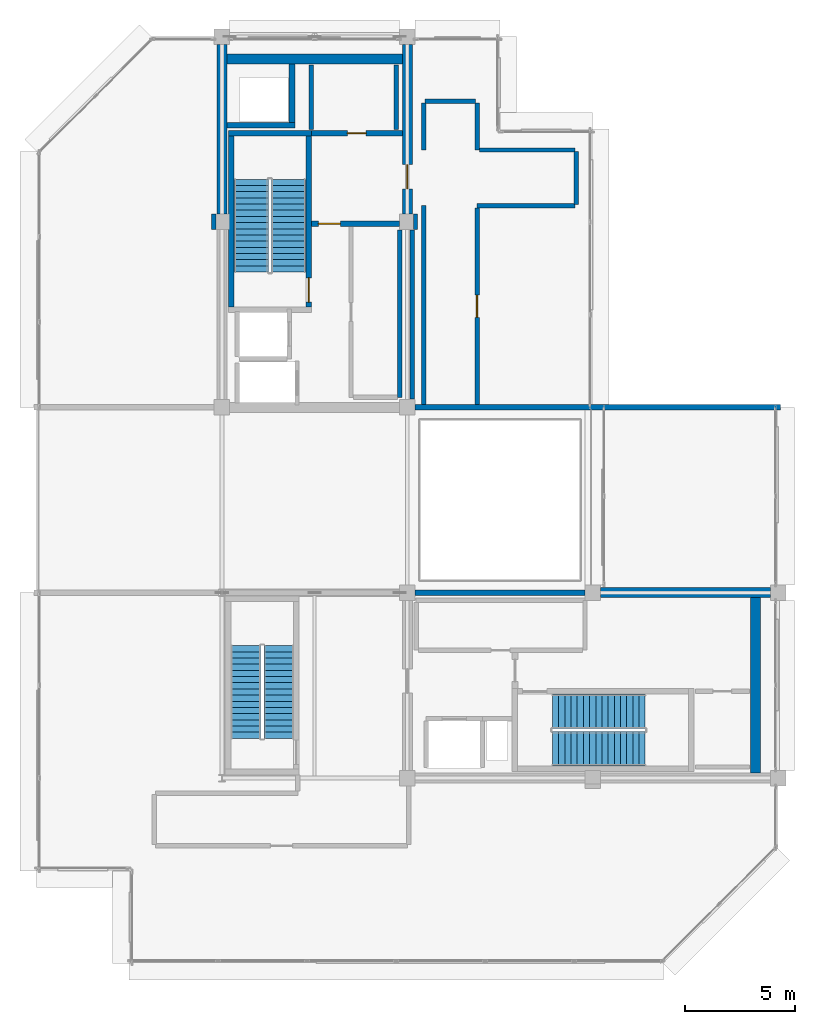
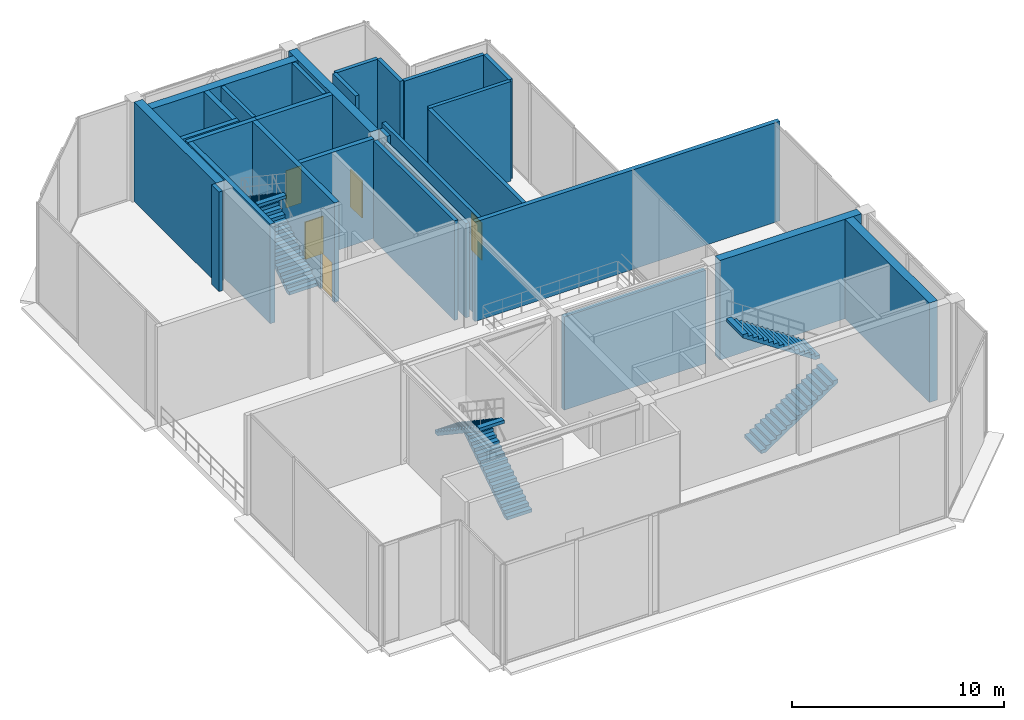
# One storey, part 16 of 19: 28 walls, 6 stair flights, 5 doors, 5 openings, 3 elements without a shape of their own.
"""IFC4 building model written with IfcOpenShell, lengths in metres."""

from ifc_helpers import new_model, si_unit, direction, frame, frame_2d, origin, place, context, subcontext, project, spatial, polyline, rectangle, outline, extrude, material, layer, layer_set, type_object, element, fill, aggregate, save


model = new_model("IFC4")

# Units and contexts
model_context = context("Model", 3, precision=1e-05, world=origin(), true_north=direction((0.0, 1.0)))
body_context = subcontext(model_context, "Body", "Model", "MODEL_VIEW")
ifc_project = project(units=[si_unit("LENGTHUNIT", "METRE"), si_unit("AREAUNIT", "SQUARE_METRE"), si_unit("VOLUMEUNIT", "CUBIC_METRE"), si_unit("PLANEANGLEUNIT", "RADIAN"), si_unit("MASSUNIT", "GRAM", prefix="KILO")], contexts=[model_context])

# Site, building, storey
site_placement = place(None, origin())
site = spatial("IfcSite", under=ifc_project, at=site_placement, CompositionType="ELEMENT")
building_placement = place(site_placement, origin())
building = spatial("IfcBuilding", under=site, at=building_placement, Name="Nerrivon Quay Data Exchange", CompositionType="ELEMENT")
storey_placement = place(building_placement, frame((0.0, 0.0, 327.0)))
storey = spatial("IfcBuildingStorey", under=building, at=storey_placement, Name="L78", CompositionType="ELEMENT", Elevation=327.0)

# Walls
ifc_material_1 = material(Name="Architectural terracotta precast concrete N50 (50 MPa)", Category="masonry")
ifc_layer_1 = layer(ifc_material_1, 0.239990234375)
ifc_layer_set_1 = layer_set([ifc_layer_1], Name="Architectural terracotta precast concrete N50 (50 MPa)")
wall_type_1 = type_object("IfcWallType", Name="EW-PREC-240", PredefinedType="STANDARD", material=ifc_layer_set_1)
wall_1_placement = place(storey_placement, frame((17.14990234375, 16.800048828125, 0.0), z_axis=(0.0, 0.0, 1.0), x_axis=(1.0, 0.0, 0.0)))
element("IfcWall", 1, at=wall_1_placement, inside=storey, type_object=wall_type_1, Name="L78 Wind Portal Flank Wall 11", PredefinedType="STANDARD", context=body_context, shape_type="SweptSolid", body=[
    extrude(rectangle(XDim=7.7001953125, YDim=0.239990234375, at=frame_2d((3.85009765625, 0.0))), origin(), (0.0, 0.0, 1.0), 5.365966796875),
])
wall_2_placement = place(storey_placement, frame((17.14990234375, 25.199951171875, 0.0), z_axis=(0.0, 0.0, 1.0), x_axis=(1.0, 0.0, 0.0)))
element("IfcWall", 2, at=wall_2_placement, inside=storey, type_object=wall_type_1, Name="L78 Wind Portal Flank Wall 13", PredefinedType="STANDARD", context=body_context, shape_type="SweptSolid", body=[
    extrude(rectangle(XDim=16.570068359375, YDim=0.239990234375, at=frame_2d((8.28515625, 0.0))), origin(), (0.0, 0.0, 1.0), 5.72509765625),
])
ifc_material_2 = material(Name="Concrete N50 (50 MPa)", Category="concrete")
ifc_layer_2 = layer(ifc_material_2, 0.449951171875)
ifc_layer_set_2 = layer_set([ifc_layer_2], Name="Concrete N50 (50 MPa)")
wall_type_2 = type_object("IfcWallType", Name="WALL-CW-550", PredefinedType="SHEAR", material=ifc_layer_set_2)
wall_3_placement = place(storey_placement, frame((8.39990234375, 33.949951171875, 0.0), z_axis=(0.0, 0.0, 1.0), x_axis=(0.0, 1.0, 0.0)))
element("IfcWall", 3, at=wall_3_placement, inside=storey, type_object=wall_type_2, Name="L78 West Split-Core Shear Wall WCW-W2", PredefinedType="SHEAR", context=body_context, shape_type="SweptSolid", body=[
    extrude(rectangle(XDim=7.699951171875, YDim=0.449951171875, at=frame_2d((3.85009765625, 0.0))), origin(), (0.0, 0.0, 1.0), 5.72509765625),
])
wall_4_placement = place(storey_placement, frame((8.625, 40.97509765625, 0.0), z_axis=(0.0, 0.0, 1.0), x_axis=(1.0, 0.0, 0.0)))
element("IfcWall", 4, at=wall_4_placement, inside=storey, type_object=wall_type_2, Name="L78 West Split-Core Shear Wall WCW-N1", PredefinedType="SHEAR", context=body_context, shape_type="SweptSolid", body=[
    extrude(rectangle(XDim=7.949951171875, YDim=0.449951171875, at=frame_2d((3.97509765625, 0.0))), origin(), (0.0, 0.0, 1.0), 5.72509765625),
])

# Wall, opening, door
wall_5_placement = place(storey_placement, frame((16.800048828125, 33.949951171875, 0.0), z_axis=(0.0, 0.0, 1.0), x_axis=(0.0, 1.0, 0.0)))
wall_5 = element("IfcWall", 5, at=wall_5_placement, inside=storey, type_object=wall_type_2, Name="L78 West Split-Core Shear Wall WCW-E1", PredefinedType="SHEAR", context=body_context, shape_type="SweptSolid", body=[
    extrude(rectangle(XDim=7.699951171875, YDim=0.449951171875, at=frame_2d((3.85009765625, 0.0))), origin(), (0.0, 0.0, 1.0), 5.72509765625),
])
opening_1_placement = place(wall_5_placement, frame((1.14990234375, 0.0, 0.0)))
opening_1 = element("IfcOpeningElement", 6, at=opening_1_placement, cuts=wall_5, Name="Opening FD-120", PredefinedType="OPENING", context=body_context, shape_type="SweptSolid", body=[
    extrude(rectangle(XDim=1.10009765625, YDim=2.14990234375, at=frame_2d((0.550048828125, 1.074951171875))), frame((0.0, 0.23486328125, 0.0), z_axis=(0.0, -1.0, 0.0), x_axis=(1.0, 0.0, 0.0)), (0.0, 0.0, 1.0), 0.469970703125),
])
ifc_material_3 = material(Name="Powder-coated galvanized steel sheet", Category="steel")
door_type_1 = type_object("IfcDoorType", Name="DR-FD120-1100", OperationType="NOTDEFINED", PredefinedType="DOOR", material=ifc_material_3)
door_1_placement = place(opening_1_placement, origin())
door_1 = element("IfcDoor", 7, at=door_1_placement, inside=storey, type_object=door_type_1, Name="L78 West Core Lobby Fire Door", OperationType="SINGLE_SWING_LEFT", OverallHeight=2.14990234375, OverallWidth=1.10009765625, PredefinedType="DOOR", context=body_context, shape_type="SweptSolid", body=[
    extrude(rectangle(XDim=1.10009765625, YDim=2.14990234375, at=frame_2d((0.550048828125, 1.074951171875))), frame((0.0, 0.02490234375, 0.0), z_axis=(0.0, -1.0, 0.0), x_axis=(1.0, 0.0, 0.0)), (0.0, 0.0, 1.0), 0.050048828125),
])
fill(opening_1, door_1)

# Walls
wall_6_placement = place(storey_placement, frame((32.574951171875, 8.625, 0.0), z_axis=(0.0, 0.0, 1.0), x_axis=(0.0, 1.0, 0.0)))
element("IfcWall", 8, at=wall_6_placement, inside=storey, type_object=wall_type_2, Name="L78 East Split-Core Shear Wall ECW-E1", PredefinedType="SHEAR", context=body_context, shape_type="SweptSolid", body=[
    extrude(rectangle(XDim=7.949951171875, YDim=0.449951171875, at=frame_2d((3.97509765625, 0.0))), origin(), (0.0, 0.0, 1.0), 5.72509765625),
])
wall_7_placement = place(storey_placement, frame((25.550048828125, 16.800048828125, 0.0), z_axis=(0.0, 0.0, 1.0), x_axis=(1.0, 0.0, 0.0)))
element("IfcWall", 9, at=wall_7_placement, inside=storey, type_object=wall_type_2, Name="L78 East Split-Core Shear Wall ECW-N1", PredefinedType="SHEAR", context=body_context, shape_type="SweptSolid", body=[
    extrude(rectangle(XDim=7.699951171875, YDim=0.449951171875, at=frame_2d((3.85009765625, 0.0))), origin(), (0.0, 0.0, 1.0), 5.72509765625),
])
ifc_material_4 = material(Name="Gypsum plasterboard on cold-formed framing", Category="gypsum")
ifc_layer_3 = layer(ifc_material_4, 0.199951171875)
ifc_layer_set_3 = layer_set([ifc_layer_3], Name="Gypsum plasterboard on cold-formed framing")
wall_type_3 = type_object("IfcWallType", Name="WALL-FW-200", PredefinedType="PARTITIONING", material=ifc_layer_set_3)
wall_8_placement = place(storey_placement, frame((16.449951171875, 25.64990234375, 0.0), z_axis=(0.0, 0.0, 1.0), x_axis=(0.0, 1.0, 0.0)))
element("IfcWall", 10, at=wall_8_placement, inside=storey, type_object=wall_type_3, Name="L78 Partition Telemetry Hub Closet", PredefinedType="PARTITIONING", context=body_context, shape_type="SweptSolid", body=[
    extrude(rectangle(XDim=7.59521484375, YDim=0.199951171875, at=frame_2d((3.797607421875, 0.0))), origin(), (0.0, 0.0, 1.0), 5.72509765625),
])
for number, where, z_axis, x_axis, name in (
    (11, (16.300048828125, 37.780029296875, 0.0), (0.0, 0.0, 1.0), (0.0, 1.0, 0.0), "L78 Partition Electrical Switchboard Closet"),
    (12, (12.449951171875, 40.699951171875, 0.0), (0.0, 0.0, 1.0), (0.0, -1.0, 0.0), "L78 Partition Electrical Switchboard Closet"),
):
    element("IfcWall", number, at=place(storey_placement, frame(where, z_axis=z_axis, x_axis=x_axis)), inside=storey, type_object=wall_type_3, Name=name, PredefinedType="PARTITIONING", context=body_context, shape_type="SweptSolid", body=[
        extrude(rectangle(XDim=2.919921875, YDim=0.199951171875, at=frame_2d((1.4599609375, 0.0))), origin(), (0.0, 0.0, 1.0), 5.72509765625),
    ])
wall_9_placement = place(storey_placement, frame((8.030517578125, 33.24609375, 0.0), z_axis=(0.0, 0.0, 1.0), x_axis=(-0.000693721651, 0.999999759375, 0.0)))
element("IfcWall", 13, at=wall_9_placement, inside=storey, type_object=wall_type_3, Name="L78 Partition Wind Portal Damper Switchroom", PredefinedType="PARTITIONING", context=body_context, shape_type="SweptSolid", body=[
    extrude(rectangle(XDim=0.703857421875, YDim=0.199951171875, at=frame_2d((0.35205078125, 0.0))), origin(), (0.0, 0.0, 1.0), 5.72509765625),
])
wall_10_placement = place(storey_placement, frame((17.5400390625, 36.860107421875, 0.0), z_axis=(0.0, 0.0, 1.0), x_axis=(0.0, 1.0, 0.0)))
element("IfcWall", 14, at=wall_10_placement, inside=storey, type_object=wall_type_3, Name="L78 Partition Wind Portal Damper Switchroom", PredefinedType="PARTITIONING", context=body_context, shape_type="SweptSolid", body=[
    extrude(rectangle(XDim=2.139892578125, YDim=0.199951171875, at=frame_2d((1.06982421875, 0.0))), origin(), (0.0, 0.0, 1.0), 5.72509765625),
])
wall_11_placement = place(storey_placement, frame((17.60009765625, 39.06005859375, 0.0), z_axis=(0.0, 0.0, 1.0), x_axis=(1.0, 0.0, 0.0)))
element("IfcWall", 15, at=wall_11_placement, inside=storey, type_object=wall_type_3, Name="L78 Partition Wind Portal Damper Switchroom", PredefinedType="PARTITIONING", context=body_context, shape_type="SweptSolid", body=[
    extrude(rectangle(XDim=2.2998046875, YDim=0.199951171875, at=frame_2d((1.14990234375, 0.0))), origin(), (0.0, 0.0, 1.0), 5.72509765625),
])
wall_12_placement = place(storey_placement, frame((19.9599609375, 39.0, 0.0), z_axis=(0.0, 0.0, 1.0), x_axis=(0.0, -1.0, 0.0)))
element("IfcWall", 16, at=wall_12_placement, inside=storey, type_object=wall_type_3, Name="L78 Partition Wind Portal Damper Switchroom", PredefinedType="PARTITIONING", context=body_context, shape_type="SweptSolid", body=[
    extrude(rectangle(XDim=2.139892578125, YDim=0.199951171875, at=frame_2d((1.06982421875, 0.0))), origin(), (0.0, 0.0, 1.0), 5.72509765625),
])
wall_13_placement = place(storey_placement, frame((20.06396484375, 36.860107421875, 0.0), z_axis=(0.0, 0.0, 1.0), x_axis=(1.0, 0.0, 0.0)))
element("IfcWall", 17, at=wall_13_placement, inside=storey, type_object=wall_type_3, Name="L78 Partition Wind Portal Damper Switchroom", PredefinedType="PARTITIONING", context=body_context, shape_type="SweptSolid", body=[
    extrude(rectangle(XDim=4.3359375, YDim=0.199951171875, at=frame_2d((2.16796875, 0.0))), origin(), (0.0, 0.0, 1.0), 5.72509765625),
])
wall_14_placement = place(storey_placement, frame((24.4599609375, 36.800048828125, 0.0), z_axis=(0.0, 0.0, 1.0), x_axis=(0.0, -1.0, 0.0)))
element("IfcWall", 18, at=wall_14_placement, inside=storey, type_object=wall_type_3, Name="L78 Partition Wind Portal Damper Switchroom", PredefinedType="PARTITIONING", context=body_context, shape_type="SweptSolid", body=[
    extrude(rectangle(XDim=2.400146484375, YDim=0.199951171875, at=frame_2d((1.2001953125, 0.0))), origin(), (0.0, 0.0, 1.0), 5.72509765625),
])
wall_15_placement = place(storey_placement, frame((24.39990234375, 34.340087890625, 0.0), z_axis=(0.0, 0.0, 1.0), x_axis=(-1.0, 0.0, 0.0)))
element("IfcWall", 19, at=wall_15_placement, inside=storey, type_object=wall_type_3, Name="L78 Partition Wind Portal Damper Switchroom", PredefinedType="PARTITIONING", context=body_context, shape_type="SweptSolid", body=[
    extrude(rectangle(XDim=4.43994140625, YDim=0.199951171875, at=frame_2d((2.219970703125, 0.0))), origin(), (0.0, 0.0, 1.0), 5.72509765625),
])

# Wall, opening, door
wall_16_placement = place(storey_placement, frame((19.9599609375, 34.236083984375, 0.0), z_axis=(0.0, 0.0, 1.0), x_axis=(0.0, -1.0, 0.0)))
wall_16 = element("IfcWall", 20, at=wall_16_placement, inside=storey, type_object=wall_type_3, Name="L78 Partition Wind Portal Damper Switchroom", PredefinedType="PARTITIONING", context=body_context, shape_type="SweptSolid", body=[
    extrude(rectangle(XDim=8.912109375, YDim=0.199951171875, at=frame_2d((4.4560546875, 0.0))), origin(), (0.0, 0.0, 1.0), 5.72509765625),
])
opening_2_placement = place(wall_16_placement, frame((3.9560546875, 0.0, 0.0)))
opening_2 = element("IfcOpeningElement", 21, at=opening_2_placement, cuts=wall_16, Name="Opening FD-60", PredefinedType="OPENING", context=body_context, shape_type="SweptSolid", body=[
    extrude(rectangle(XDim=1.0, YDim=2.14990234375, at=frame_2d((0.5, 1.074951171875))), frame((0.0, 0.10986328125, 0.0), z_axis=(0.0, -1.0, 0.0), x_axis=(1.0, 0.0, 0.0)), (0.0, 0.0, 1.0), 0.219970703125),
])
ifc_material_5 = material(Name="Engineered hardwood timber", Category="wood")
door_type_2 = type_object("IfcDoorType", Name="DR-FD60-1000", OperationType="NOTDEFINED", PredefinedType="DOOR", material=ifc_material_5)
door_2_placement = place(opening_2_placement, origin())
door_2 = element("IfcDoor", 22, at=door_2_placement, inside=storey, type_object=door_type_2, Name="L78 Door Wind Portal Damper Switchroom", OperationType="SINGLE_SWING_LEFT", OverallHeight=2.14990234375, OverallWidth=1.0, PredefinedType="DOOR", context=body_context, shape_type="SweptSolid", body=[
    extrude(rectangle(XDim=1.0, YDim=2.14990234375, at=frame_2d((0.5, 1.074951171875))), frame((0.0, 0.02490234375, 0.0), z_axis=(0.0, -1.0, 0.0), x_axis=(1.0, 0.0, 0.0)), (0.0, 0.0, 1.0), 0.050048828125),
])
fill(opening_2, door_2)

# Walls
wall_17_placement = place(storey_placement, frame((17.5400390625, 25.323974609375, 0.0), z_axis=(0.0, 0.0, 1.0), x_axis=(0.0, 1.0, 0.0)))
element("IfcWall", 23, at=wall_17_placement, inside=storey, type_object=wall_type_3, Name="L78 Partition Wind Portal Damper Switchroom", PredefinedType="PARTITIONING", context=body_context, shape_type="SweptSolid", body=[
    extrude(rectangle(XDim=9.01611328125, YDim=0.199951171875, at=frame_2d((4.508056640625, 0.0))), origin(), (0.0, 0.0, 1.0), 5.72509765625),
])
wall_18_placement = place(storey_placement, frame((17.169921875, 33.951904296875, 0.0), z_axis=(0.0, 0.0, 1.0), x_axis=(0.0, -1.0, 0.0)))
element("IfcWall", 24, at=wall_18_placement, inside=storey, type_object=wall_type_3, Name="L78 Partition Wind Portal Damper Switchroom", PredefinedType="PARTITIONING", context=body_context, shape_type="SweptSolid", body=[
    extrude(rectangle(XDim=0.701904296875, YDim=0.199951171875, at=frame_2d((0.35107421875, 0.0))), origin(), (0.0, 0.0, 1.0), 5.72509765625),
])
wall_19_placement = place(storey_placement, frame((17.02490234375, 33.22998046875, 0.0), z_axis=(0.0, 0.0, 1.0), x_axis=(0.0, -1.0, 0.0)))
element("IfcWall", 25, at=wall_19_placement, inside=storey, type_object=wall_type_3, Name="L78 Partition Wind Portal Damper Switchroom", PredefinedType="PARTITIONING", context=body_context, shape_type="SweptSolid", body=[
    extrude(rectangle(XDim=7.659912109375, YDim=0.199951171875, at=frame_2d((3.830078125, 0.0))), origin(), (0.0, 0.0, 1.0), 5.41796875),
])
ifc_layer_4 = layer(ifc_material_2, 0.25)
ifc_layer_set_4 = layer_set([ifc_layer_4], Name="Concrete N50 (50 MPa)")
wall_type_4 = type_object("IfcWallType", Name="WALL-SW-250", PredefinedType="SHEAR", material=ifc_layer_set_4)
wall_20_placement = place(storey_placement, frame((12.449951171875, 37.625, 0.0), z_axis=(0.0, 0.0, 1.0), x_axis=(-1.0, 0.0, 0.0)))
element("IfcWall", 26, at=wall_20_placement, inside=storey, type_object=wall_type_4, Name="L78 ST01 Structural Stair Core Wall FAR", PredefinedType="SHEAR", context=body_context, shape_type="SweptSolid", body=[
    extrude(rectangle(XDim=3.75, YDim=0.25, at=frame_2d((1.875, 0.0))), origin(), (0.0, 0.0, 1.0), 5.72509765625),
])

# Wall, opening, door
wall_21_placement = place(storey_placement, frame((12.324951171875, 29.75, 0.0), z_axis=(0.0, 0.0, 1.0), x_axis=(0.0, 1.0, 0.0)))
wall_21 = element("IfcWall", 27, at=wall_21_placement, inside=storey, type_object=wall_type_4, Name="L78 ST01 Structural Stair Core Wall LEFT", PredefinedType="SHEAR", context=body_context, shape_type="SweptSolid", body=[
    extrude(rectangle(XDim=7.75, YDim=0.25, at=frame_2d((3.875, 0.0))), origin(), (0.0, 0.0, 1.0), 5.72509765625),
])
opening_3_placement = place(wall_21_placement, frame((0.219970703125, 0.0, 0.0)))
opening_3 = element("IfcOpeningElement", 28, at=opening_3_placement, cuts=wall_21, Name="Opening FD-120", PredefinedType="OPENING", context=body_context, shape_type="SweptSolid", body=[
    extrude(rectangle(XDim=1.10009765625, YDim=2.14990234375, at=frame_2d((0.550048828125, 1.074951171875))), frame((0.0, 0.135009765625, 0.0), z_axis=(0.0, -1.0, 0.0), x_axis=(1.0, 0.0, 0.0)), (0.0, 0.0, 1.0), 0.27001953125),
])
door_3_placement = place(opening_3_placement, origin())
door_3 = element("IfcDoor", 29, at=door_3_placement, inside=storey, type_object=door_type_1, Name="L78 Protected Stair Door ST01", OperationType="SINGLE_SWING_LEFT", OverallHeight=2.14990234375, OverallWidth=1.10009765625, PredefinedType="DOOR", context=body_context, shape_type="SweptSolid", body=[
    extrude(rectangle(XDim=1.10009765625, YDim=2.14990234375, at=frame_2d((0.550048828125, 1.074951171875))), frame((0.0, 0.02490234375, 0.0), z_axis=(0.0, -1.0, 0.0), x_axis=(1.0, 0.0, 0.0)), (0.0, 0.0, 1.0), 0.050048828125),
])
fill(opening_3, door_3)

# Walls
wall_22_placement = place(storey_placement, frame((8.824951171875, 29.75, 0.0), z_axis=(0.0, 0.0, 1.0), x_axis=(0.0, 1.0, 0.0)))
element("IfcWall", 30, at=wall_22_placement, inside=storey, type_object=wall_type_4, Name="L78 ST01 Structural Stair Core Wall RIGHT", PredefinedType="SHEAR", context=body_context, shape_type="SweptSolid", body=[
    extrude(rectangle(XDim=7.75, YDim=0.25, at=frame_2d((3.875, 0.0))), origin(), (0.0, 0.0, 1.0), 5.72509765625),
])
wall_23_placement = place(storey_placement, frame((8.625, 37.97509765625, 0.0), z_axis=(0.0, 0.0, 1.0), x_axis=(1.0, 0.0, 0.0)))
element("IfcWall", 31, at=wall_23_placement, inside=storey, type_object=wall_type_4, Name="L78 West Core MEP Riser Shaft Wall S", PredefinedType="SHEAR", context=body_context, shape_type="SweptSolid", body=[
    extrude(rectangle(XDim=3.074951171875, YDim=0.25, at=frame_2d((1.53759765625, 0.0))), origin(), (0.0, 0.0, 1.0), 5.72509765625),
])
wall_24_placement = place(storey_placement, frame((11.574951171875, 38.10009765625, 0.0), z_axis=(0.0, 0.0, 1.0), x_axis=(0.0, 1.0, 0.0)))
element("IfcWall", 32, at=wall_24_placement, inside=storey, type_object=wall_type_4, Name="L78 West Core MEP Riser Shaft Wall E", PredefinedType="SHEAR", context=body_context, shape_type="SweptSolid", body=[
    extrude(rectangle(XDim=2.64990234375, YDim=0.25, at=frame_2d((1.324951171875, 0.0))), origin(), (0.0, 0.0, 1.0), 5.72509765625),
])

# Wall, opening, door
wall_25_placement = place(storey_placement, frame((12.449951171875, 33.52001953125, 0.0), z_axis=(0.0, 0.0, 1.0), x_axis=(1.0, 0.0, 0.0)))
wall_25 = element("IfcWall", 33, at=wall_25_placement, inside=storey, type_object=wall_type_4, Name="L78 West Lobby Smoke-Stop Wall", PredefinedType="SHEAR", context=body_context, shape_type="SweptSolid", body=[
    extrude(rectangle(XDim=4.0, YDim=0.25, at=frame_2d((2.0, 0.0))), origin(), (0.0, 0.0, 1.0), 5.72509765625),
])
opening_4_placement = place(wall_25_placement, frame((0.320068359375, 0.0, 0.0)))
opening_4 = element("IfcOpeningElement", 34, at=opening_4_placement, cuts=wall_25, Name="Opening FD-60", PredefinedType="OPENING", context=body_context, shape_type="SweptSolid", body=[
    extrude(rectangle(XDim=1.0, YDim=2.14990234375, at=frame_2d((0.5, 1.074951171875))), frame((0.0, 0.135009765625, 0.0), z_axis=(0.0, -1.0, 0.0), x_axis=(1.0, 0.0, 0.0)), (0.0, 0.0, 1.0), 0.27001953125),
])
door_4_placement = place(opening_4_placement, origin())
door_4 = element("IfcDoor", 35, at=door_4_placement, inside=storey, type_object=door_type_2, Name="L78 West Firefighting Lobby Fire Door", OperationType="SINGLE_SWING_RIGHT", OverallHeight=2.14990234375, OverallWidth=1.0, PredefinedType="DOOR", context=body_context, shape_type="SweptSolid", body=[
    extrude(rectangle(XDim=1.0, YDim=2.14990234375, at=frame_2d((0.5, 1.074951171875))), frame((0.0, 0.02490234375, 0.0), z_axis=(0.0, -1.0, 0.0), x_axis=(1.0, 0.0, 0.0)), (0.0, 0.0, 1.0), 0.050048828125),
])
fill(opening_4, door_4)

wall_26_placement = place(storey_placement, frame((12.449951171875, 37.625, 0.0), z_axis=(0.0, 0.0, 1.0), x_axis=(1.0, 0.0, 0.0)))
wall_26 = element("IfcWall", 36, at=wall_26_placement, inside=storey, type_object=wall_type_4, Name="L78 West Firefighting Lobby Wall", PredefinedType="SHEAR", context=body_context, shape_type="SweptSolid", body=[
    extrude(rectangle(XDim=4.125, YDim=0.25, at=frame_2d((2.0625, 0.0))), origin(), (0.0, 0.0, 1.0), 5.72509765625),
])
opening_5_placement = place(wall_26_placement, frame((1.637451171875, 0.0, 0.0)))
opening_5 = element("IfcOpeningElement", 37, at=opening_5_placement, cuts=wall_26, Name="Opening FD-60S", PredefinedType="OPENING", context=body_context, shape_type="SweptSolid", body=[
    extrude(rectangle(XDim=0.85009765625, YDim=2.14990234375, at=frame_2d((0.425048828125, 1.074951171875))), frame((0.0, 0.135009765625, 0.0), z_axis=(0.0, -1.0, 0.0), x_axis=(1.0, 0.0, 0.0)), (0.0, 0.0, 1.0), 0.27001953125),
])
door_type_3 = type_object("IfcDoorType", Name="DR-FD60-850", OperationType="NOTDEFINED", PredefinedType="DOOR", material=ifc_material_5)
door_5_placement = place(opening_5_placement, origin())
door_5 = element("IfcDoor", 38, at=door_5_placement, inside=storey, type_object=door_type_3, Name="L78 Door Electrical Switchboard Closet", OperationType="SINGLE_SWING_LEFT", OverallHeight=2.14990234375, OverallWidth=0.85009765625, PredefinedType="DOOR", context=body_context, shape_type="SweptSolid", body=[
    extrude(rectangle(XDim=0.85009765625, YDim=2.14990234375, at=frame_2d((0.425048828125, 1.074951171875))), frame((0.0, 0.02490234375, 0.0), z_axis=(0.0, -1.0, 0.0), x_axis=(1.0, 0.0, 0.0)), (0.0, 0.0, 1.0), 0.050048828125),
])
fill(opening_5, door_5)

# Stair, stair flights
stair_type = type_object("IfcStairType", Name="STAIR-DOG-54", PredefinedType="HALF_TURN_STAIR", material=ifc_material_2)
stair_1_placement = place(storey_placement, origin())
stair_1 = element("IfcStair", 39, at=stair_1_placement, inside=storey, type_object=stair_type, Name="L78 West Core Fire Stair ST01", PredefinedType="HALF_TURN_STAIR")
stair_flight_type = type_object("IfcStairFlightType", Name="FLIGHT-DOG-54", PredefinedType="STRAIGHT", material=ifc_material_2)
stair_flight_1_placement = place(storey_placement, frame((11.425048828125, 31.330078125, 0.0), z_axis=(0.0, 0.0, 1.0), x_axis=(0.0, 1.0, 0.0)))
stair_flight_1 = element("IfcStairFlight", 40, at=stair_flight_1_placement, type_object=stair_flight_type, Name="ST01 flight 1", NumberOfRisers=16, NumberOfTreads=15, PredefinedType="STRAIGHT", RiserHeight=0.1875, TreadLength=0.28, context=body_context, shape_type="SweptSolid", body=[
    extrude(outline(polyline([(0.0, 0.0), (0.0, 0.1875), (0.280029296875, 0.1875), (0.280029296875, 0.375), (0.56005859375, 0.375), (0.56005859375, 0.5625), (0.840087890625, 0.5625), (0.840087890625, 0.75), (1.1201171875, 0.75), (1.1201171875, 0.9375), (1.39990234375, 0.9375), (1.39990234375, 1.125), (1.679931640625, 1.125), (1.679931640625, 1.3125), (1.9599609375, 1.3125), (1.9599609375, 1.5), (2.239990234375, 1.5), (2.239990234375, 1.6875), (2.52001953125, 1.6875), (2.52001953125, 1.875), (2.800048828125, 1.875), (2.800048828125, 2.0625), (3.080078125, 2.0625), (3.080078125, 2.25), (3.360107421875, 2.25), (3.360107421875, 2.4375), (3.639892578125, 2.4375), (3.639892578125, 2.625), (3.919921875, 2.625), (3.919921875, 2.8125), (4.199951171875, 2.8125), (4.199951171875, 3.0), (4.199951171875, 2.632080078125), (0.26953125, 0.0), (0.0, 0.0)])), frame((0.0, 0.77490234375, 0.0), z_axis=(0.0, -1.0, 0.0), x_axis=(1.0, 0.0, 0.0)), (0.0, 0.0, 1.0), 1.550048828125),
])
stair_flight_2_placement = place(storey_placement, frame((9.72509765625, 35.530029296875, 3.0), z_axis=(0.0, 0.0, 1.0), x_axis=(0.0, -1.0, 0.0)))
stair_flight_2 = element("IfcStairFlight", 41, at=stair_flight_2_placement, type_object=stair_flight_type, Name="ST01 flight 2", NumberOfRisers=16, NumberOfTreads=15, PredefinedType="STRAIGHT", RiserHeight=0.1875, TreadLength=0.28, context=body_context, shape_type="SweptSolid", body=[
    extrude(outline(polyline([(0.0, 0.0), (0.0, 0.1875), (0.280029296875, 0.1875), (0.280029296875, 0.375), (0.56005859375, 0.375), (0.56005859375, 0.5625), (0.840087890625, 0.5625), (0.840087890625, 0.75), (1.1201171875, 0.75), (1.1201171875, 0.9375), (1.39990234375, 0.9375), (1.39990234375, 1.125), (1.679931640625, 1.125), (1.679931640625, 1.3125), (1.9599609375, 1.3125), (1.9599609375, 1.5), (2.239990234375, 1.5), (2.239990234375, 1.6875), (2.52001953125, 1.6875), (2.52001953125, 1.875), (2.800048828125, 1.875), (2.800048828125, 2.0625), (3.080078125, 2.0625), (3.080078125, 2.25), (3.360107421875, 2.25), (3.360107421875, 2.4375), (3.639892578125, 2.4375), (3.639892578125, 2.625), (3.919921875, 2.625), (3.919921875, 2.8125), (4.199951171875, 2.8125), (4.199951171875, 3.0), (4.199951171875, 2.632080078125), (0.26953125, 0.0), (0.0, 0.0)])), frame((0.0, 0.77490234375, 0.0), z_axis=(0.0, -1.0, 0.0), x_axis=(1.0, 0.0, 0.0)), (0.0, 0.0, 1.0), 1.550048828125),
])
aggregate(stair_1, [stair_flight_1, stair_flight_2])

stair_2_placement = place(storey_placement, origin())
stair_2 = element("IfcStair", 42, at=stair_2_placement, inside=storey, type_object=stair_type, Name="L78 East Core Fire Stair ST02", PredefinedType="HALF_TURN_STAIR")
stair_flight_3_placement = place(storey_placement, frame((23.3798828125, 9.72509765625, 0.0), z_axis=(0.0, 0.0, 1.0), x_axis=(1.0, 0.0, 0.0)))
stair_flight_3 = element("IfcStairFlight", 43, at=stair_flight_3_placement, type_object=stair_flight_type, Name="ST02 flight 1", NumberOfRisers=16, NumberOfTreads=15, PredefinedType="STRAIGHT", RiserHeight=0.1875, TreadLength=0.28, context=body_context, shape_type="SweptSolid", body=[
    extrude(outline(polyline([(0.0, 0.0), (0.0, 0.1875), (0.280029296875, 0.1875), (0.280029296875, 0.375), (0.56005859375, 0.375), (0.56005859375, 0.5625), (0.840087890625, 0.5625), (0.840087890625, 0.75), (1.1201171875, 0.75), (1.1201171875, 0.9375), (1.39990234375, 0.9375), (1.39990234375, 1.125), (1.679931640625, 1.125), (1.679931640625, 1.3125), (1.9599609375, 1.3125), (1.9599609375, 1.5), (2.239990234375, 1.5), (2.239990234375, 1.6875), (2.52001953125, 1.6875), (2.52001953125, 1.875), (2.800048828125, 1.875), (2.800048828125, 2.0625), (3.080078125, 2.0625), (3.080078125, 2.25), (3.360107421875, 2.25), (3.360107421875, 2.4375), (3.639892578125, 2.4375), (3.639892578125, 2.625), (3.919921875, 2.625), (3.919921875, 2.8125), (4.199951171875, 2.8125), (4.199951171875, 3.0), (4.199951171875, 2.632080078125), (0.26953125, 0.0), (0.0, 0.0)])), frame((0.0, 0.77490234375, 0.0), z_axis=(0.0, -1.0, 0.0), x_axis=(1.0, 0.0, 0.0)), (0.0, 0.0, 1.0), 1.550048828125),
])
stair_flight_4_placement = place(storey_placement, frame((27.580078125, 11.425048828125, 3.0), z_axis=(0.0, 0.0, 1.0), x_axis=(-1.0, 0.0, 0.0)))
stair_flight_4 = element("IfcStairFlight", 44, at=stair_flight_4_placement, type_object=stair_flight_type, Name="ST02 flight 2", NumberOfRisers=16, NumberOfTreads=15, PredefinedType="STRAIGHT", RiserHeight=0.1875, TreadLength=0.28, context=body_context, shape_type="SweptSolid", body=[
    extrude(outline(polyline([(0.0, 0.0), (0.0, 0.1875), (0.280029296875, 0.1875), (0.280029296875, 0.375), (0.56005859375, 0.375), (0.56005859375, 0.5625), (0.840087890625, 0.5625), (0.840087890625, 0.75), (1.1201171875, 0.75), (1.1201171875, 0.9375), (1.39990234375, 0.9375), (1.39990234375, 1.125), (1.679931640625, 1.125), (1.679931640625, 1.3125), (1.9599609375, 1.3125), (1.9599609375, 1.5), (2.239990234375, 1.5), (2.239990234375, 1.6875), (2.52001953125, 1.6875), (2.52001953125, 1.875), (2.800048828125, 1.875), (2.800048828125, 2.0625), (3.080078125, 2.0625), (3.080078125, 2.25), (3.360107421875, 2.25), (3.360107421875, 2.4375), (3.639892578125, 2.4375), (3.639892578125, 2.625), (3.919921875, 2.625), (3.919921875, 2.8125), (4.199951171875, 2.8125), (4.199951171875, 3.0), (4.199951171875, 2.632080078125), (0.26953125, 0.0), (0.0, 0.0)])), frame((0.0, 0.77490234375, 0.0), z_axis=(0.0, -1.0, 0.0), x_axis=(1.0, 0.0, 0.0)), (0.0, 0.0, 1.0), 1.550048828125),
])
aggregate(stair_2, [stair_flight_3, stair_flight_4])

stair_3_placement = place(storey_placement, origin())
stair_3 = element("IfcStair", 45, at=stair_3_placement, inside=storey, type_object=stair_type, Name="L78 Crown Maintenance Stair ST08", PredefinedType="HALF_TURN_STAIR")
stair_flight_5_placement = place(storey_placement, frame((10.97509765625, 10.199951171875, 0.0), z_axis=(0.0, 0.0, 1.0), x_axis=(0.0, 1.0, 0.0)))
stair_flight_5 = element("IfcStairFlight", 46, at=stair_flight_5_placement, type_object=stair_flight_type, Name="ST08 flight 1", NumberOfRisers=16, NumberOfTreads=15, PredefinedType="STRAIGHT", RiserHeight=0.1875, TreadLength=0.28, context=body_context, shape_type="SweptSolid", body=[
    extrude(outline(polyline([(0.0, 0.0), (0.0, 0.1875), (0.280029296875, 0.1875), (0.280029296875, 0.375), (0.56005859375, 0.375), (0.56005859375, 0.5625), (0.840087890625, 0.5625), (0.840087890625, 0.75), (1.1201171875, 0.75), (1.1201171875, 0.9375), (1.39990234375, 0.9375), (1.39990234375, 1.125), (1.679931640625, 1.125), (1.679931640625, 1.3125), (1.9599609375, 1.3125), (1.9599609375, 1.5), (2.239990234375, 1.5), (2.239990234375, 1.6875), (2.52001953125, 1.6875), (2.52001953125, 1.875), (2.800048828125, 1.875), (2.800048828125, 2.0625), (3.080078125, 2.0625), (3.080078125, 2.25), (3.360107421875, 2.25), (3.360107421875, 2.4375), (3.639892578125, 2.4375), (3.639892578125, 2.625), (3.919921875, 2.625), (3.919921875, 2.8125), (4.199951171875, 2.8125), (4.199951171875, 3.0), (4.199951171875, 2.632080078125), (0.26953125, 0.0), (0.0, 0.0)])), frame((0.0, 0.675048828125, 0.0), z_axis=(0.0, -1.0, 0.0), x_axis=(1.0, 0.0, 0.0)), (0.0, 0.0, 1.0), 1.35009765625),
])
stair_flight_6_placement = place(storey_placement, frame((9.47509765625, 14.39990234375, 3.0), z_axis=(0.0, 0.0, 1.0), x_axis=(0.0, -1.0, 0.0)))
stair_flight_6 = element("IfcStairFlight", 47, at=stair_flight_6_placement, type_object=stair_flight_type, Name="ST08 flight 2", NumberOfRisers=16, NumberOfTreads=15, PredefinedType="STRAIGHT", RiserHeight=0.1875, TreadLength=0.28, context=body_context, shape_type="SweptSolid", body=[
    extrude(outline(polyline([(0.0, 0.0), (0.0, 0.1875), (0.280029296875, 0.1875), (0.280029296875, 0.375), (0.56005859375, 0.375), (0.56005859375, 0.5625), (0.840087890625, 0.5625), (0.840087890625, 0.75), (1.1201171875, 0.75), (1.1201171875, 0.9375), (1.39990234375, 0.9375), (1.39990234375, 1.125), (1.679931640625, 1.125), (1.679931640625, 1.3125), (1.9599609375, 1.3125), (1.9599609375, 1.5), (2.239990234375, 1.5), (2.239990234375, 1.6875), (2.52001953125, 1.6875), (2.52001953125, 1.875), (2.800048828125, 1.875), (2.800048828125, 2.0625), (3.080078125, 2.0625), (3.080078125, 2.25), (3.360107421875, 2.25), (3.360107421875, 2.4375), (3.639892578125, 2.4375), (3.639892578125, 2.625), (3.919921875, 2.625), (3.919921875, 2.8125), (4.199951171875, 2.8125), (4.199951171875, 3.0), (4.199951171875, 2.632080078125), (0.26953125, 0.0), (0.0, 0.0)])), frame((0.0, 0.675048828125, 0.0), z_axis=(0.0, -1.0, 0.0), x_axis=(1.0, 0.0, 0.0)), (0.0, 0.0, 1.0), 1.35009765625),
])
aggregate(stair_3, [stair_flight_5, stair_flight_6])

save(model, "model.ifc")
